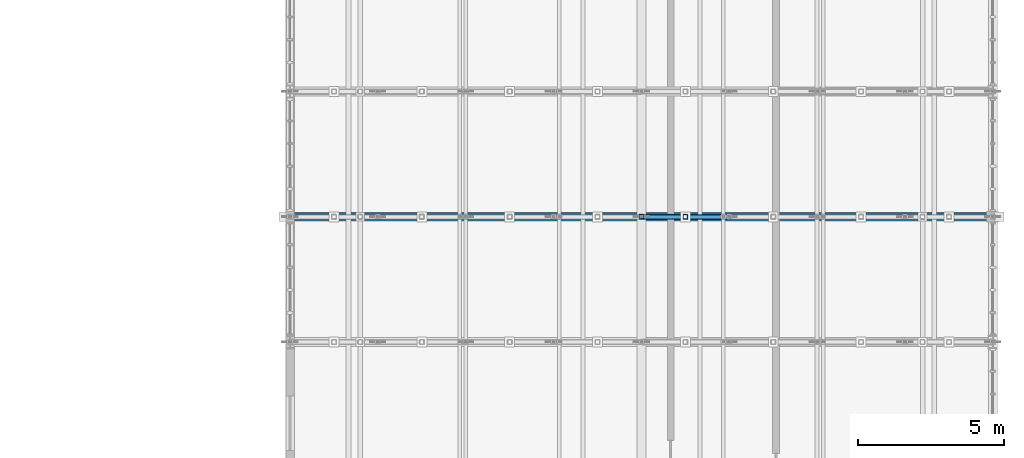
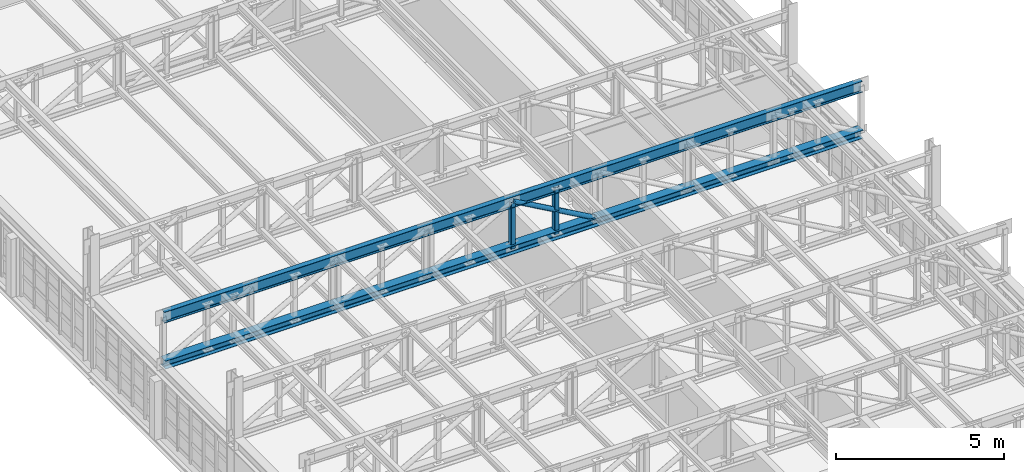
# One storey, part 46 of 128: 5 members.
"""IFC4 building model written with IfcOpenShell, lengths in metres."""

from ifc_helpers import new_model, si_unit, direction, frame, origin, origin_2d, place, context, subcontext, project, spatial, hollow_rectangle, hollow_circle, i_section, extrude, material, material_profile, profile_set, type_object, element, save


model = new_model("IFC4")

# Units and contexts
model_context = context("Model", 3, precision=1e-05, world=origin(), true_north=direction((0.0, 1.0)))
body_context = subcontext(model_context, "Body", "Model", "MODEL_VIEW")
ifc_project = project(units=[si_unit("LENGTHUNIT", "METRE"), si_unit("AREAUNIT", "SQUARE_METRE"), si_unit("VOLUMEUNIT", "CUBIC_METRE"), si_unit("PLANEANGLEUNIT", "RADIAN"), si_unit("MASSUNIT", "GRAM", prefix="KILO")], contexts=[model_context])

# Site, building, storey
site_placement = place(None, origin())
site = spatial("IfcSite", under=ifc_project, at=site_placement, CompositionType="ELEMENT")
building_placement = place(site_placement, origin())
building = spatial("IfcBuilding", under=site, at=building_placement, Name="Serraforn Aerial Cableway Station", CompositionType="ELEMENT")
storey_placement = place(building_placement, frame((0.0, 0.0, 9.0)))
storey = spatial("IfcBuildingStorey", under=building, at=storey_placement, Name="L02", CompositionType="ELEMENT", Elevation=9.0)

# Members
ifc_material = material(Name="Steel S355J2", Category="steel")
ifc_material_profile_1 = material_profile(ifc_material, i_section(OverallWidth=0.300048828125, OverallDepth=0.300048828125, WebThickness=0.008544921875, FlangeThickness=0.013916015625, FilletRadius=0.027099609375, at=origin_2d()), Name="HEA 300")
ifc_profile_set_1 = profile_set([ifc_material_profile_1], Name="Steel S355J2")
member_type_1 = type_object("IfcMemberType", Name="MEM-BC-HEA300", PredefinedType="CHORD", material=ifc_profile_set_1)
member_1_placement = place(storey_placement, frame((144.0, 84.074951171875, 2.60009765625), z_axis=(1.0, 0.0, 0.0), x_axis=(0.0, 1.0, 0.0)))
element("IfcMember", 1, at=member_1_placement, inside=storey, type_object=member_type_1, Name="Garage Truss GT-08 Bottom Chord", PredefinedType="CHORD", context=body_context, shape_type="SweptSolid", body=[
    extrude(i_section(OverallWidth=0.300048828125, OverallDepth=0.300048828125, WebThickness=0.008544921875, FlangeThickness=0.013916015625, FilletRadius=0.027099609375, at=origin_2d()), origin(), (0.0, 0.0, 1.0), 24.0),
])
ifc_material_profile_2 = material_profile(ifc_material, hollow_circle(Radius=0.084228515625, WallThickness=0.008056640625, at=origin_2d()), Name="CHS 168.3x8.0")
ifc_profile_set_2 = profile_set([ifc_material_profile_2], Name="Steel S355J2")
member_type_2 = type_object("IfcMemberType", Name="MEM-DG-CHS168", PredefinedType="BRACE", material=ifc_profile_set_2)
member_2_placement = place(storey_placement, frame((156.0, 84.074951171875, 4.2900390625), z_axis=(0.871272396707, 0.0, -0.490799766439), x_axis=(0.0, 1.0, 0.0)))
element("IfcMember", 2, at=member_2_placement, inside=storey, type_object=member_type_2, Name="Garage Truss GT-08 Diagonal 5", PredefinedType="BRACE", context=body_context, shape_type="SweptSolid", body=[
    extrude(hollow_circle(Radius=0.084228515625, WallThickness=0.008056640625, at=origin_2d()), origin(), (0.0, 0.0, 1.0), 3.443359375),
])
ifc_material_profile_3 = material_profile(ifc_material, i_section(OverallWidth=0.179931640625, OverallDepth=0.39990234375, WebThickness=0.008544921875, FlangeThickness=0.013427734375, FilletRadius=0.02099609375, at=origin_2d()), Name="IPE 400")
ifc_profile_set_3 = profile_set([ifc_material_profile_3], Name="Steel S355J2")
member_type_3 = type_object("IfcMemberType", Name="MEM-TC-IPE400", PredefinedType="CHORD", material=ifc_profile_set_3)
member_3_placement = place(storey_placement, frame((144.0, 84.074951171875, 4.2900390625), z_axis=(1.0, 0.0, 0.0), x_axis=(0.0, 1.0, 0.0)))
element("IfcMember", 3, at=member_3_placement, inside=storey, type_object=member_type_3, Name="Garage Truss GT-08 Top Chord", PredefinedType="CHORD", context=body_context, shape_type="SweptSolid", body=[
    extrude(i_section(OverallWidth=0.179931640625, OverallDepth=0.39990234375, WebThickness=0.008544921875, FlangeThickness=0.013427734375, FilletRadius=0.02099609375, at=origin_2d()), origin(), (0.0, 0.0, 1.0), 24.0),
])
ifc_material_profile_4 = material_profile(ifc_material, hollow_rectangle(XDim=0.159912109375, YDim=0.159912109375, WallThickness=0.008056640625, InnerFilletRadius=0.008056640625, OuterFilletRadius=0.01611328125, at=origin_2d()), Name="SHS 160x160x8.0")
ifc_profile_set_4 = profile_set([ifc_material_profile_4], Name="Steel S355J2")
member_type_4 = type_object("IfcMemberType", Name="MEM-VP-SHS160", PredefinedType="STRUT", material=ifc_profile_set_4)
for number, where, z_axis, x_axis, name in (
    (4, (156.0, 84.074951171875, 2.590087890625), (0.0, 0.0, 1.0), (1.0, 0.0, 0.0), "Garage Truss GT-08 Post 5"),
    (5, (157.5, 84.074951171875, 2.590087890625), (0.0, 0.0, 1.0), (1.0, 0.0, 0.0), "Garage Truss GT-08 Sub-Vertical 5"),
):
    element("IfcMember", number, at=place(storey_placement, frame(where, z_axis=z_axis, x_axis=x_axis)), inside=storey, type_object=member_type_4, Name=name, PredefinedType="STRUT", context=body_context, shape_type="SweptSolid", body=[
        extrude(hollow_rectangle(XDim=0.159912109375, YDim=0.159912109375, WallThickness=0.008056640625, InnerFilletRadius=0.008056640625, OuterFilletRadius=0.01611328125, at=origin_2d()), origin(), (0.0, 0.0, 1.0), 1.7099609375),
    ])

save(model, "model.ifc")
